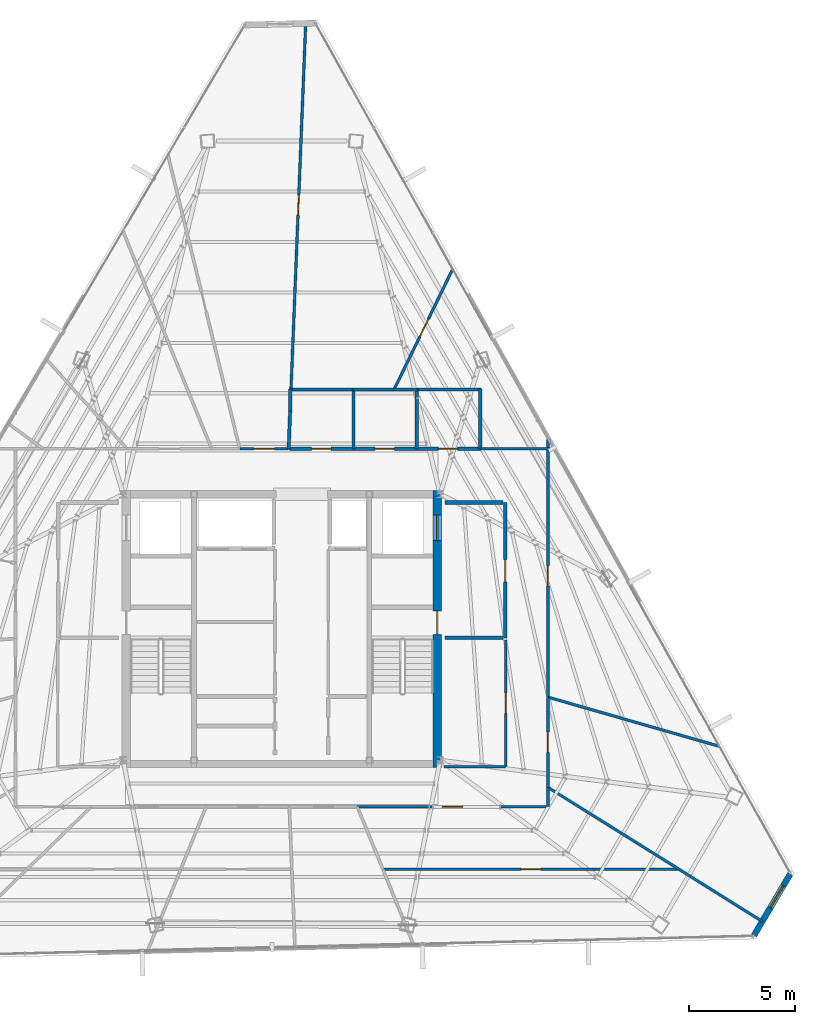
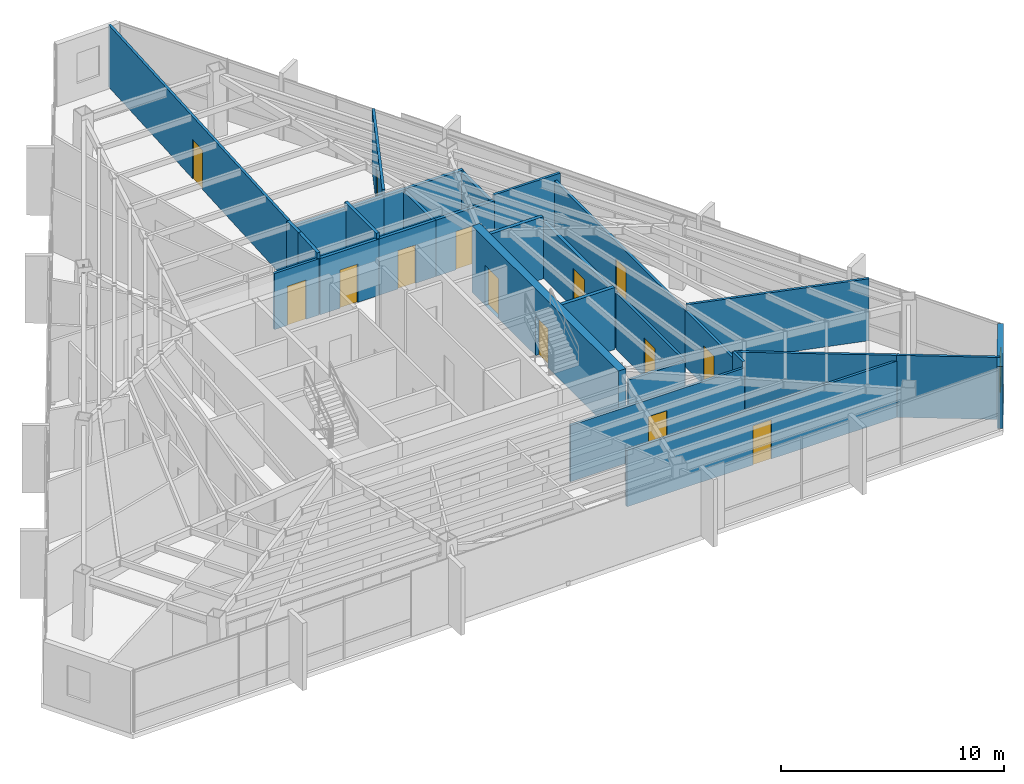
# One storey, part 45 of 48: 31 walls, 14 doors, 1 window, 15 openings.
"""IFC4 building model written with IfcOpenShell, lengths in metres."""

from ifc_helpers import new_model, si_unit, direction, frame, frame_2d, origin, place, context, subcontext, project, spatial, rectangle, extrude, material, layer, layer_set, type_object, element, fill, save


model = new_model("IFC4")

# Units and contexts
model_context = context("Model", 3, precision=1e-05, world=origin(), true_north=direction((0.0, 1.0)))
body_context = subcontext(model_context, "Body", "Model", "MODEL_VIEW")
ifc_project = project(units=[si_unit("LENGTHUNIT", "METRE"), si_unit("AREAUNIT", "SQUARE_METRE"), si_unit("VOLUMEUNIT", "CUBIC_METRE"), si_unit("PLANEANGLEUNIT", "RADIAN"), si_unit("MASSUNIT", "GRAM", prefix="KILO")], contexts=[model_context])

# Site, building, storey
site_placement = place(None, origin())
site = spatial("IfcSite", under=ifc_project, at=site_placement, CompositionType="ELEMENT")
building_placement = place(site_placement, origin())
building = spatial("IfcBuilding", under=site, at=building_placement, Name="Caelisora Broadcast Tower", CompositionType="ELEMENT")
storey_placement = place(building_placement, frame((0.0, 0.0, 270.0)))
storey = spatial("IfcBuildingStorey", under=building, at=storey_placement, Name="L71", CompositionType="ELEMENT", Elevation=270.0)

# Wall, openings, doors
ifc_material_1 = material(Name="Concrete 40 MPa (AS 3600 N40)", Category="concrete")
ifc_layer_1 = layer(ifc_material_1, 0.39990234375, Name="Concrete 40 MPa (AS 3600 N40)")
ifc_layer_set_1 = layer_set([ifc_layer_1], Name="Concrete 40 MPa (AS 3600 N40)")
wall_type_1 = type_object("IfcWallType", Name="CW3", PredefinedType="SHEAR", material=ifc_layer_set_1)
wall_1_placement = place(storey_placement, frame((45.360107421875, 17.050048828125, 0.0), z_axis=(0.0, 0.0, 1.0), x_axis=(0.0, 1.0, 0.0)))
wall_1 = element("IfcWall", 1, at=wall_1_placement, inside=storey, type_object=wall_type_1, Name="L71 core shear wall CW3", PredefinedType="SHEAR", context=body_context, shape_type="SweptSolid", body=[
    extrude(rectangle(XDim=13.125, YDim=0.39990234375, at=frame_2d((6.5625, 0.0))), origin(), (0.0, 0.0, 1.0), 3.64990234375),
])
opening_1_placement = place(wall_1_placement, frame((6.300048828125, 0.0, 0.0)))
opening_1 = element("IfcOpeningElement", 2, at=opening_1_placement, cuts=wall_1, Name="Opening FD04", PredefinedType="OPENING", context=body_context, shape_type="SweptSolid", body=[
    extrude(rectangle(XDim=1.1201171875, YDim=2.14990234375, at=frame_2d((0.56005859375, 1.074951171875))), frame((0.0, 0.2119140625, 0.0), z_axis=(0.0, -1.0, 0.0), x_axis=(1.0, 0.0, 0.0)), (0.0, 0.0, 1.0), 0.423828125),
])
opening_2_placement = place(wall_1_placement, frame((10.75, 0.0, 0.0)))
opening_2 = element("IfcOpeningElement", 3, at=opening_2_placement, cuts=wall_1, Name="Opening LD04", PredefinedType="OPENING", context=body_context, shape_type="SweptSolid", body=[
    extrude(rectangle(XDim=1.199951171875, YDim=2.199951171875, at=frame_2d((0.60009765625, 1.10009765625))), frame((0.0, 0.2119140625, 0.0), z_axis=(0.0, -1.0, 0.0), x_axis=(1.0, 0.0, 0.0)), (0.0, 0.0, 1.0), 0.423828125),
])
ifc_material_2 = material(Name="Pressurised Fire-Isolated Stair Door", Category="steel")
door_type_1 = type_object("IfcDoorType", Name="FD04", OperationType="NOTDEFINED", PredefinedType="DOOR", material=ifc_material_2)
door_1_placement = place(opening_1_placement, origin())
door_1 = element("IfcDoor", 4, at=door_1_placement, inside=storey, type_object=door_type_1, Name="L71 door FD04 (L71-DR-ST2)", OperationType="SINGLE_SWING_RIGHT", OverallHeight=2.14990234375, OverallWidth=1.1201171875, PredefinedType="DOOR", context=body_context, shape_type="SweptSolid", body=[
    extrude(rectangle(XDim=1.1201171875, YDim=2.14990234375, at=frame_2d((0.56005859375, 1.074951171875))), frame((0.0, 0.02490234375, 0.0), z_axis=(0.0, -1.0, 0.0), x_axis=(1.0, 0.0, 0.0)), (0.0, 0.0, 1.0), 0.050048828125),
])
fill(opening_1, door_1)
ifc_material_3 = material(Name="Emergency Firefighting Lift Sliding Landing Door", Category="steel")
door_type_2 = type_object("IfcDoorType", Name="LD04", OperationType="NOTDEFINED", PredefinedType="DOOR", material=ifc_material_3)
door_2_placement = place(opening_2_placement, origin())
door_2 = element("IfcDoor", 5, at=door_2_placement, inside=storey, type_object=door_type_2, Name="L71 door LD04 (L71-LD-FFL2)", OperationType="SLIDING_TO_RIGHT", OverallHeight=2.199951171875, OverallWidth=1.199951171875, PredefinedType="DOOR", context=body_context, shape_type="SweptSolid", body=[
    extrude(rectangle(XDim=1.199951171875, YDim=2.199951171875, at=frame_2d((0.60009765625, 1.10009765625))), frame((0.0, 0.02490234375, 0.0), z_axis=(0.0, -1.0, 0.0), x_axis=(1.0, 0.0, 0.0)), (0.0, 0.0, 1.0), 0.050048828125),
])
fill(opening_2, door_2)

# Wall, opening, window
ifc_material_4 = material(Name="Insulated Terracotta Spandrel Wall System", Category="masonry")
ifc_layer_2 = layer(ifc_material_4, 0.280029296875, Name="Insulated Terracotta Spandrel Wall System")
ifc_layer_set_2 = layer_set([ifc_layer_2], Name="Insulated Terracotta Spandrel Wall System")
wall_type_2 = type_object("IfcWallType", Name="EW1", PredefinedType="STANDARD", material=ifc_layer_set_2)
wall_2_placement = place(storey_placement, frame((62.068603515625, 12.01611328125, 0.0), z_axis=(0.0, 0.0, 1.0), x_axis=(-0.508417223397, -0.86111086798, 0.0)))
wall_2 = element("IfcWall", 6, at=wall_2_placement, inside=storey, type_object=wall_type_2, Name="L71 exterior envelope wall EW1", PredefinedType="STANDARD", context=body_context, shape_type="SweptSolid", body=[
    extrude(rectangle(XDim=3.373779296875, YDim=0.280029296875, at=frame_2d((1.68701171875, 0.0))), origin(), (0.0, 0.0, 1.0), 3.39990234375),
])
opening_3_placement = place(wall_2_placement, frame((0.639892578125, 0.0, 0.89990234375)))
opening_3 = element("IfcOpeningElement", 7, at=opening_3_placement, cuts=wall_2, Name="Opening W03", PredefinedType="OPENING", context=body_context, shape_type="SweptSolid", body=[
    extrude(rectangle(XDim=1.199951171875, YDim=1.64990234375, at=frame_2d((0.60009765625, 0.824951171875))), frame((0.0, 0.152099609375, 0.0), z_axis=(0.0, -1.0, 0.0), x_axis=(1.0, 0.0, 0.0)), (0.0, 0.0, 1.0), 0.303955078125),
])
ifc_material_5 = material(Name="Double Glazed Corner Vision Window", Category="glass")
window_type = type_object("IfcWindowType", Name="W03", PartitioningType="SINGLE_PANEL", PredefinedType="WINDOW", material=ifc_material_5)
window_placement = place(opening_3_placement, origin())
window = element("IfcWindow", 8, at=window_placement, inside=storey, type_object=window_type, Name="L71 window W03 (L71-WN-CH0)", OverallHeight=1.64990234375, OverallWidth=1.199951171875, PartitioningType="SINGLE_PANEL", PredefinedType="WINDOW", context=body_context, shape_type="SweptSolid", body=[
    extrude(rectangle(XDim=1.199951171875, YDim=1.64990234375, at=frame_2d((0.60009765625, 0.824951171875))), frame((0.0, 0.030029296875, 0.0), z_axis=(0.0, -1.0, 0.0), x_axis=(1.0, 0.0, 0.0)), (0.0, 0.0, 1.0), 0.06005859375),
])
fill(opening_3, window)

# Wall, opening, door
ifc_material_6 = material(Name="Fire-Rated Gypsum Shaft and Compartment Wall", Category="gypsum")
ifc_layer_3 = layer(ifc_material_6, 0.179931640625, Name="Fire-Rated Gypsum Shaft and Compartment Wall")
ifc_layer_set_3 = layer_set([ifc_layer_3], Name="Fire-Rated Gypsum Shaft and Compartment Wall")
wall_type_3 = type_object("IfcWallType", Name="PW2", PredefinedType="PARTITIONING", material=ifc_layer_set_3)
wall_3_placement = place(storey_placement, frame((48.580078125, 23.199951171875, 0.0), z_axis=(0.0, 0.0, 1.0), x_axis=(0.0, 1.0, 0.0)))
wall_3 = element("IfcWall", 9, at=wall_3_placement, inside=storey, type_object=wall_type_3, Name="L71 fire compartment wall PW2", PredefinedType="PARTITIONING", context=body_context, shape_type="SweptSolid", body=[
    extrude(rectangle(XDim=6.400146484375, YDim=0.179931640625, at=frame_2d((3.2001953125, 0.0))), origin(), (0.0, 0.0, 1.0), 3.0849609375),
])
opening_4_placement = place(wall_3_placement, frame((2.64990234375, 0.0, 0.0)))
opening_4 = element("IfcOpeningElement", 10, at=opening_4_placement, cuts=wall_3, Name="Opening FD02", PredefinedType="OPENING", context=body_context, shape_type="SweptSolid", body=[
    extrude(rectangle(XDim=1.050048828125, YDim=2.14990234375, at=frame_2d((0.52490234375, 1.074951171875))), frame((0.0, 0.10205078125, 0.0), z_axis=(0.0, -1.0, 0.0), x_axis=(1.0, 0.0, 0.0)), (0.0, 0.0, 1.0), 0.203857421875),
])
ifc_material_7 = material(Name="Single-Leaf Steel Fire Lobby Door", Category="steel")
door_type_3 = type_object("IfcDoorType", Name="FD02", OperationType="NOTDEFINED", PredefinedType="DOOR", material=ifc_material_7)
door_3_placement = place(opening_4_placement, origin())
door_3 = element("IfcDoor", 11, at=door_3_placement, inside=storey, type_object=door_type_3, Name="L71 door FD02 (L71-DR-P04D1)", OperationType="SINGLE_SWING_RIGHT", OverallHeight=2.14990234375, OverallWidth=1.050048828125, PredefinedType="DOOR", context=body_context, shape_type="SweptSolid", body=[
    extrude(rectangle(XDim=1.050048828125, YDim=2.14990234375, at=frame_2d((0.52490234375, 1.074951171875))), frame((0.0, 0.02490234375, 0.0), z_axis=(0.0, -1.0, 0.0), x_axis=(1.0, 0.0, 0.0)), (0.0, 0.0, 1.0), 0.050048828125),
])
fill(opening_4, door_3)

# Walls
for number, where, z_axis, x_axis, name in (
    (12, (45.719970703125, 23.199951171875, 0.0), (0.0, 0.0, 1.0), (1.0, 0.0, 0.0), "L71 fire compartment wall PW2"),
    (13, (45.719970703125, 29.60009765625, 0.0), (0.0, 0.0, 1.0), (1.0, 0.0, 0.0), "L71 fire compartment wall PW2"),
):
    element("IfcWall", number, at=place(storey_placement, frame(where, z_axis=z_axis, x_axis=x_axis)), inside=storey, type_object=wall_type_3, Name=name, PredefinedType="PARTITIONING", context=body_context, shape_type="SweptSolid", body=[
        extrude(rectangle(XDim=2.760009765625, YDim=0.179931640625, at=frame_2d((1.3798828125, 0.0))), origin(), (0.0, 0.0, 1.0), 3.39990234375),
    ])

# Wall, opening, door
ifc_material_8 = material(Name="Acoustic Steel-Stud Plasterboard Partition", Category="gypsum")
ifc_layer_4 = layer(ifc_material_8, 0.1298828125, Name="Acoustic Steel-Stud Plasterboard Partition")
ifc_layer_set_4 = layer_set([ifc_layer_4], Name="Acoustic Steel-Stud Plasterboard Partition")
wall_type_4 = type_object("IfcWallType", Name="PW3", PredefinedType="PARTITIONING", material=ifc_layer_set_4)
wall_4_placement = place(storey_placement, frame((38.43994140625, 34.955078125, 0.0), z_axis=(0.0, 0.0, 1.0), x_axis=(0.040141787276, 0.999193993634, 0.0)))
wall_4 = element("IfcWall", 14, at=wall_4_placement, inside=storey, type_object=wall_type_4, Name="L71 internal partition PW3", PredefinedType="PARTITIONING", context=body_context, shape_type="SweptSolid", body=[
    extrude(rectangle(XDim=17.339599609375, YDim=0.1298828125, at=frame_2d((8.669921875, 0.0))), origin(), (0.0, 0.0, 1.0), 3.39990234375),
])
opening_5_placement = place(wall_4_placement, frame((8.239990234375, 0.0, 0.0)))
opening_5 = element("IfcOpeningElement", 15, at=opening_5_placement, cuts=wall_4, Name="Opening D01", PredefinedType="OPENING", context=body_context, shape_type="SweptSolid", body=[
    extrude(rectangle(XDim=0.9599609375, YDim=2.14990234375, at=frame_2d((0.47998046875, 1.074951171875))), frame((0.0, 0.076904296875, 0.0), z_axis=(0.0, -1.0, 0.0), x_axis=(1.0, 0.0, 0.0)), (0.0, 0.0, 1.0), 0.15380859375),
])
ifc_material_9 = material(Name="Solid-Core Timber Acoustic Office Door", Category="wood")
door_type_4 = type_object("IfcDoorType", Name="D01", OperationType="NOTDEFINED", PredefinedType="DOOR", material=ifc_material_9)
door_4_placement = place(opening_5_placement, origin())
door_4 = element("IfcDoor", 16, at=door_4_placement, inside=storey, type_object=door_type_4, Name="L71 door D01 (L71-DR-P29D1)", OperationType="SINGLE_SWING_RIGHT", OverallHeight=2.14990234375, OverallWidth=0.9599609375, PredefinedType="DOOR", context=body_context, shape_type="SweptSolid", body=[
    extrude(rectangle(XDim=0.9599609375, YDim=2.14990234375, at=frame_2d((0.47998046875, 1.074951171875))), frame((0.0, 0.02490234375, 0.0), z_axis=(0.0, -1.0, 0.0), x_axis=(1.0, 0.0, 0.0)), (0.0, 0.0, 1.0), 0.050048828125),
])
fill(opening_5, door_4)

wall_5_placement = place(storey_placement, frame((42.794921875, 12.239990234375, 0.0), z_axis=(0.0, 0.0, 1.0), x_axis=(1.0, 0.0, 0.0)))
wall_5 = element("IfcWall", 17, at=wall_5_placement, inside=storey, type_object=wall_type_4, Name="L71 internal partition PW3", PredefinedType="PARTITIONING", context=body_context, shape_type="SweptSolid", body=[
    extrude(rectangle(XDim=14.010009765625, YDim=0.1298828125, at=frame_2d((7.0048828125, 0.0))), origin(), (0.0, 0.0, 1.0), 3.0849609375),
])
opening_6_placement = place(wall_5_placement, frame((6.52490234375, 0.0, 0.0)))
opening_6 = element("IfcOpeningElement", 18, at=opening_6_placement, cuts=wall_5, Name="Opening D01", PredefinedType="OPENING", context=body_context, shape_type="SweptSolid", body=[
    extrude(rectangle(XDim=0.9599609375, YDim=2.14990234375, at=frame_2d((0.47998046875, 1.074951171875))), frame((0.0, 0.076904296875, 0.0), z_axis=(0.0, -1.0, 0.0), x_axis=(1.0, 0.0, 0.0)), (0.0, 0.0, 1.0), 0.15380859375),
])
door_5_placement = place(opening_6_placement, origin())
door_5 = element("IfcDoor", 19, at=door_5_placement, inside=storey, type_object=door_type_4, Name="L71 door D01 (L71-DR-P31D1)", OperationType="SINGLE_SWING_LEFT", OverallHeight=2.14990234375, OverallWidth=0.9599609375, PredefinedType="DOOR", context=body_context, shape_type="SweptSolid", body=[
    extrude(rectangle(XDim=0.9599609375, YDim=2.14990234375, at=frame_2d((0.47998046875, 1.074951171875))), frame((0.0, 0.02490234375, 0.0), z_axis=(0.0, -1.0, 0.0), x_axis=(1.0, 0.0, 0.0)), (0.0, 0.0, 1.0), 0.050048828125),
])
fill(opening_6, door_5)

wall_6_placement = place(storey_placement, frame((50.60009765625, 20.39501953125, 0.0), z_axis=(0.0, 0.0, 1.0), x_axis=(0.0, 1.0, 0.0)))
wall_6 = element("IfcWall", 20, at=wall_6_placement, inside=storey, type_object=wall_type_4, Name="L71 internal partition PW3", PredefinedType="PARTITIONING", context=body_context, shape_type="SweptSolid", body=[
    extrude(rectangle(XDim=12.181884765625, YDim=0.1298828125, at=frame_2d((6.0908203125, 0.0))), origin(), (0.0, 0.0, 1.0), 3.0849609375),
])
opening_7_placement = place(wall_6_placement, frame((5.258056640625, 0.0, 0.0)))
opening_7 = element("IfcOpeningElement", 21, at=opening_7_placement, cuts=wall_6, Name="Opening D01", PredefinedType="OPENING", context=body_context, shape_type="SweptSolid", body=[
    extrude(rectangle(XDim=0.9599609375, YDim=2.14990234375, at=frame_2d((0.47998046875, 1.074951171875))), frame((0.0, 0.076904296875, 0.0), z_axis=(0.0, -1.0, 0.0), x_axis=(1.0, 0.0, 0.0)), (0.0, 0.0, 1.0), 0.15380859375),
])
door_6_placement = place(opening_7_placement, origin())
door_6 = element("IfcDoor", 22, at=door_6_placement, inside=storey, type_object=door_type_4, Name="L71 door D01 (L71-DR-P32D1)", OperationType="SINGLE_SWING_RIGHT", OverallHeight=2.14990234375, OverallWidth=0.9599609375, PredefinedType="DOOR", context=body_context, shape_type="SweptSolid", body=[
    extrude(rectangle(XDim=0.9599609375, YDim=2.14990234375, at=frame_2d((0.47998046875, 1.074951171875))), frame((0.0, 0.02490234375, 0.0), z_axis=(0.0, -1.0, 0.0), x_axis=(1.0, 0.0, 0.0)), (0.0, 0.0, 1.0), 0.050048828125),
])
fill(opening_7, door_6)

wall_7_placement = place(storey_placement, frame((41.5849609375, 15.199951171875, 0.0), z_axis=(0.0, 0.0, 1.0), x_axis=(1.0, 0.0, 0.0)))
wall_7 = element("IfcWall", 23, at=wall_7_placement, inside=storey, type_object=wall_type_4, Name="L71 internal partition PW3", PredefinedType="PARTITIONING", context=body_context, shape_type="SweptSolid", body=[
    extrude(rectangle(XDim=9.010009765625, YDim=0.1298828125, at=frame_2d((4.5048828125, 0.0))), origin(), (0.0, 0.0, 1.0), 3.0849609375),
])
opening_8_placement = place(wall_7_placement, frame((4.02490234375, 0.0, 0.0)))
opening_8 = element("IfcOpeningElement", 24, at=opening_8_placement, cuts=wall_7, Name="Opening D01", PredefinedType="OPENING", context=body_context, shape_type="SweptSolid", body=[
    extrude(rectangle(XDim=0.9599609375, YDim=2.14990234375, at=frame_2d((0.47998046875, 1.074951171875))), frame((0.0, 0.076904296875, 0.0), z_axis=(0.0, -1.0, 0.0), x_axis=(1.0, 0.0, 0.0)), (0.0, 0.0, 1.0), 0.15380859375),
])
door_7_placement = place(opening_8_placement, origin())
door_7 = element("IfcDoor", 25, at=door_7_placement, inside=storey, type_object=door_type_4, Name="L71 door D01 (L71-DR-P36D1)", OperationType="SINGLE_SWING_LEFT", OverallHeight=2.14990234375, OverallWidth=0.9599609375, PredefinedType="DOOR", context=body_context, shape_type="SweptSolid", body=[
    extrude(rectangle(XDim=0.9599609375, YDim=2.14990234375, at=frame_2d((0.47998046875, 1.074951171875))), frame((0.0, 0.02490234375, 0.0), z_axis=(0.0, -1.0, 0.0), x_axis=(1.0, 0.0, 0.0)), (0.0, 0.0, 1.0), 0.050048828125),
])
fill(opening_8, door_7)

# Walls
wall_8_placement = place(storey_placement, frame((50.60498046875, 20.388916015625, 0.0), z_axis=(0.0, 0.0, 1.0), x_axis=(0.961203909381, -0.275838801823, 0.0)))
element("IfcWall", 26, at=wall_8_placement, inside=storey, type_object=wall_type_4, Name="L71 internal partition PW3", PredefinedType="PARTITIONING", context=body_context, shape_type="SweptSolid", body=[
    extrude(rectangle(XDim=8.45166015625, YDim=0.1298828125, at=frame_2d((4.225830078125, 0.0))), origin(), (0.0, 0.0, 1.0), 3.39990234375),
])
wall_9_placement = place(storey_placement, frame((50.60400390625, 16.116943359375, 0.0), z_axis=(0.0, 0.0, 1.0), x_axis=(0.848131450334, -0.529785846314, 0.0)))
element("IfcWall", 27, at=wall_9_placement, inside=storey, type_object=wall_type_4, Name="L71 internal partition PW3", PredefinedType="PARTITIONING", context=body_context, shape_type="SweptSolid", body=[
    extrude(rectangle(XDim=7.3125, YDim=0.1298828125, at=frame_2d((3.65625, 0.0))), origin(), (0.0, 0.0, 1.0), 3.39990234375),
])

# Wall, opening, door
wall_10_placement = place(storey_placement, frame((43.322021484375, 34.9541015625, 0.0), z_axis=(0.0, 0.0, 1.0), x_axis=(0.437265707893, 0.899332363868, 0.0)))
wall_10 = element("IfcWall", 28, at=wall_10_placement, inside=storey, type_object=wall_type_4, Name="L71 internal partition PW3", PredefinedType="PARTITIONING", context=body_context, shape_type="SweptSolid", body=[
    extrude(rectangle(XDim=6.349365234375, YDim=0.1298828125, at=frame_2d((3.1748046875, 0.0))), origin(), (0.0, 0.0, 1.0), 3.39990234375),
])
opening_9_placement = place(wall_10_placement, frame((2.75390625, 0.0, 0.0)))
opening_9 = element("IfcOpeningElement", 29, at=opening_9_placement, cuts=wall_10, Name="Opening D01", PredefinedType="OPENING", context=body_context, shape_type="SweptSolid", body=[
    extrude(rectangle(XDim=0.9599609375, YDim=2.14990234375, at=frame_2d((0.47998046875, 1.074951171875))), frame((0.0, 0.076904296875, 0.0), z_axis=(0.0, -1.0, 0.0), x_axis=(1.0, 0.0, 0.0)), (0.0, 0.0, 1.0), 0.15380859375),
])
door_8_placement = place(opening_9_placement, origin())
door_8 = element("IfcDoor", 30, at=door_8_placement, inside=storey, type_object=door_type_4, Name="L71 door D01 (L71-DR-P44D1)", OperationType="SINGLE_SWING_RIGHT", OverallHeight=2.14990234375, OverallWidth=0.9599609375, PredefinedType="DOOR", context=body_context, shape_type="SweptSolid", body=[
    extrude(rectangle(XDim=0.9599609375, YDim=2.14990234375, at=frame_2d((0.47998046875, 1.074951171875))), frame((0.0, 0.02490234375, 0.0), z_axis=(0.0, -1.0, 0.0), x_axis=(1.0, 0.0, 0.0)), (0.0, 0.0, 1.0), 0.050048828125),
])
fill(opening_9, door_8)

wall_11_placement = place(storey_placement, frame((48.60009765625, 17.10498046875, 0.0), z_axis=(0.0, 0.0, 1.0), x_axis=(0.0, 1.0, 0.0)))
wall_11 = element("IfcWall", 31, at=wall_11_placement, inside=storey, type_object=wall_type_4, Name="L71 internal partition PW3", PredefinedType="PARTITIONING", context=body_context, shape_type="SweptSolid", body=[
    extrude(rectangle(XDim=6.0, YDim=0.1298828125, at=frame_2d((3.0, 0.0))), origin(), (0.0, 0.0, 1.0), 3.0849609375),
])
opening_10_placement = place(wall_11_placement, frame((2.52001953125, 0.0, 0.0)))
opening_10 = element("IfcOpeningElement", 32, at=opening_10_placement, cuts=wall_11, Name="Opening D01", PredefinedType="OPENING", context=body_context, shape_type="SweptSolid", body=[
    extrude(rectangle(XDim=0.9599609375, YDim=2.14990234375, at=frame_2d((0.47998046875, 1.074951171875))), frame((0.0, 0.076904296875, 0.0), z_axis=(0.0, -1.0, 0.0), x_axis=(1.0, 0.0, 0.0)), (0.0, 0.0, 1.0), 0.15380859375),
])
door_9_placement = place(opening_10_placement, origin())
door_9 = element("IfcDoor", 33, at=door_9_placement, inside=storey, type_object=door_type_4, Name="L71 door D01 (L71-DR-P46D1)", OperationType="SINGLE_SWING_RIGHT", OverallHeight=2.14990234375, OverallWidth=0.9599609375, PredefinedType="DOOR", context=body_context, shape_type="SweptSolid", body=[
    extrude(rectangle(XDim=0.9599609375, YDim=2.14990234375, at=frame_2d((0.47998046875, 1.074951171875))), frame((0.0, 0.02490234375, 0.0), z_axis=(0.0, -1.0, 0.0), x_axis=(1.0, 0.0, 0.0)), (0.0, 0.0, 1.0), 0.050048828125),
])
fill(opening_10, door_9)

# Wall
wall_12_placement = place(storey_placement, frame((56.81396484375, 12.237060546875, 0.0), z_axis=(0.0, 0.0, 1.0), x_axis=(0.847315336783, -0.531090124228, 0.0)))
element("IfcWall", 34, at=wall_12_placement, inside=storey, type_object=wall_type_4, Name="L71 internal partition PW3", PredefinedType="PARTITIONING", context=body_context, shape_type="SweptSolid", body=[
    extrude(rectangle(XDim=4.643798828125, YDim=0.1298828125, at=frame_2d((2.32177734375, 0.0))), origin(), (0.0, 0.0, 1.0), 3.39990234375),
])

# Wall, opening, door
wall_13_placement = place(storey_placement, frame((50.60009765625, 16.125, 0.0), z_axis=(0.0, 0.0, 1.0), x_axis=(0.0, 1.0, 0.0)))
wall_13 = element("IfcWall", 35, at=wall_13_placement, inside=storey, type_object=wall_type_4, Name="L71 internal partition PW3", PredefinedType="PARTITIONING", context=body_context, shape_type="SweptSolid", body=[
    extrude(rectangle(XDim=4.260009765625, YDim=0.1298828125, at=frame_2d((2.1298828125, 0.0))), origin(), (0.0, 0.0, 1.0), 3.0849609375),
])
opening_11_placement = place(wall_13_placement, frame((1.64990234375, 0.0, 0.0)))
opening_11 = element("IfcOpeningElement", 36, at=opening_11_placement, cuts=wall_13, Name="Opening D01", PredefinedType="OPENING", context=body_context, shape_type="SweptSolid", body=[
    extrude(rectangle(XDim=0.9599609375, YDim=2.14990234375, at=frame_2d((0.47998046875, 1.074951171875))), frame((0.0, 0.076904296875, 0.0), z_axis=(0.0, -1.0, 0.0), x_axis=(1.0, 0.0, 0.0)), (0.0, 0.0, 1.0), 0.15380859375),
])
door_10_placement = place(opening_11_placement, origin())
door_10 = element("IfcDoor", 37, at=door_10_placement, inside=storey, type_object=door_type_4, Name="L71 door D01 (L71-DR-P55D1)", OperationType="SINGLE_SWING_RIGHT", OverallHeight=2.14990234375, OverallWidth=0.9599609375, PredefinedType="DOOR", context=body_context, shape_type="SweptSolid", body=[
    extrude(rectangle(XDim=0.9599609375, YDim=2.14990234375, at=frame_2d((0.47998046875, 1.074951171875))), frame((0.0, 0.02490234375, 0.0), z_axis=(0.0, -1.0, 0.0), x_axis=(1.0, 0.0, 0.0)), (0.0, 0.0, 1.0), 0.050048828125),
])
fill(opening_11, door_10)

# Walls
wall_14_placement = place(storey_placement, frame((50.82958984375, 32.14990234375, 0.0), z_axis=(0.0, 0.0, 1.0), x_axis=(-1.0, 0.0, 0.0)))
element("IfcWall", 38, at=wall_14_placement, inside=storey, type_object=wall_type_4, Name="L71 internal partition PW3", PredefinedType="PARTITIONING", context=body_context, shape_type="SweptSolid", body=[
    extrude(rectangle(XDim=3.424560546875, YDim=0.1298828125, at=frame_2d((1.71240234375, 0.0))), origin(), (0.0, 0.0, 1.0), 3.39990234375),
])
wall_15_placement = place(storey_placement, frame((45.675048828125, 17.10009765625, 0.0), z_axis=(0.0, 0.0, 1.0), x_axis=(1.0, 0.0, 0.0)))
element("IfcWall", 39, at=wall_15_placement, inside=storey, type_object=wall_type_4, Name="L71 internal partition PW3", PredefinedType="PARTITIONING", context=body_context, shape_type="SweptSolid", body=[
    extrude(rectangle(XDim=2.919921875, YDim=0.1298828125, at=frame_2d((1.4599609375, 0.0))), origin(), (0.0, 0.0, 1.0), 2.985107421875),
])

# Wall, opening, door
wall_16_placement = place(storey_placement, frame((36.014892578125, 32.14990234375, 0.0), z_axis=(0.0, 0.0, 1.0), x_axis=(1.0, 0.0, 0.0)))
wall_16 = element("IfcWall", 40, at=wall_16_placement, inside=storey, type_object=wall_type_4, Name="L71 internal partition PW3", PredefinedType="PARTITIONING", context=body_context, shape_type="SweptSolid", body=[
    extrude(rectangle(XDim=2.31005859375, YDim=0.1298828125, at=frame_2d((1.155029296875, 0.0))), origin(), (0.0, 0.0, 1.0), 3.0849609375),
])
opening_12_placement = place(wall_16_placement, frame((0.675048828125, 0.0, 0.0)))
opening_12 = element("IfcOpeningElement", 41, at=opening_12_placement, cuts=wall_16, Name="Opening D01", PredefinedType="OPENING", context=body_context, shape_type="SweptSolid", body=[
    extrude(rectangle(XDim=0.9599609375, YDim=2.14990234375, at=frame_2d((0.47998046875, 1.074951171875))), frame((0.0, 0.076904296875, 0.0), z_axis=(0.0, -1.0, 0.0), x_axis=(1.0, 0.0, 0.0)), (0.0, 0.0, 1.0), 0.15380859375),
])
door_11_placement = place(opening_12_placement, origin())
door_11 = element("IfcDoor", 42, at=door_11_placement, inside=storey, type_object=door_type_4, Name="L71 door D01 (L71-DR-P74D1)", OperationType="SINGLE_SWING_LEFT", OverallHeight=2.14990234375, OverallWidth=0.9599609375, PredefinedType="DOOR", context=body_context, shape_type="SweptSolid", body=[
    extrude(rectangle(XDim=0.9599609375, YDim=2.14990234375, at=frame_2d((0.47998046875, 1.074951171875))), frame((0.0, 0.02490234375, 0.0), z_axis=(0.0, -1.0, 0.0), x_axis=(1.0, 0.0, 0.0)), (0.0, 0.0, 1.0), 0.050048828125),
])
fill(opening_12, door_11)

# Wall
wall_17_placement = place(storey_placement, frame((50.60009765625, 15.205078125, 0.0), z_axis=(0.0, 0.0, 1.0), x_axis=(0.0, 1.0, 0.0)))
element("IfcWall", 43, at=wall_17_placement, inside=storey, type_object=wall_type_4, Name="L71 internal partition PW3", PredefinedType="PARTITIONING", context=body_context, shape_type="SweptSolid", body=[
    extrude(rectangle(XDim=0.909912109375, YDim=0.1298828125, at=frame_2d((0.455078125, 0.0))), origin(), (0.0, 0.0, 1.0), 3.39990234375),
])

# Wall, opening, door
ifc_material_10 = material(Name="Moisture-Resistant Wet Plumbing Service Wall", Category="gypsum")
ifc_layer_5 = layer(ifc_material_10, 0.159912109375, Name="Moisture-Resistant Wet Plumbing Service Wall")
ifc_layer_set_5 = layer_set([ifc_layer_5], Name="Moisture-Resistant Wet Plumbing Service Wall")
wall_type_5 = type_object("IfcWallType", Name="PW4", PredefinedType="PLUMBINGWALL", material=ifc_layer_set_5)
wall_18_placement = place(storey_placement, frame((38.375, 32.14990234375, 0.0), z_axis=(0.0, 0.0, 1.0), x_axis=(1.0, 0.0, 0.0)))
wall_18 = element("IfcWall", 44, at=wall_18_placement, inside=storey, type_object=wall_type_5, Name="L71 wet plumbing wall PW4", PredefinedType="PLUMBINGWALL", context=body_context, shape_type="SweptSolid", body=[
    extrude(rectangle(XDim=3.050048828125, YDim=0.159912109375, at=frame_2d((1.52490234375, 0.0))), origin(), (0.0, 0.0, 1.0), 3.0849609375),
])
opening_13_placement = place(wall_18_placement, frame((1.034912109375, 0.0, 0.0)))
opening_13 = element("IfcOpeningElement", 45, at=opening_13_placement, cuts=wall_18, Name="Opening D03", PredefinedType="OPENING", context=body_context, shape_type="SweptSolid", body=[
    extrude(rectangle(XDim=0.919921875, YDim=2.10009765625, at=frame_2d((0.4599609375, 1.050048828125))), frame((0.0, 0.092041015625, 0.0), z_axis=(0.0, -1.0, 0.0), x_axis=(1.0, 0.0, 0.0)), (0.0, 0.0, 1.0), 0.183837890625),
])
ifc_material_11 = material(Name="Laminate Moisture-Resistant Amenity WC Door", Category="wood")
door_type_5 = type_object("IfcDoorType", Name="D03", OperationType="NOTDEFINED", PredefinedType="DOOR", material=ifc_material_11)
door_12_placement = place(opening_13_placement, origin())
door_12 = element("IfcDoor", 46, at=door_12_placement, inside=storey, type_object=door_type_5, Name="L71 door D03 (L71-DR-P17D1)", OperationType="SINGLE_SWING_LEFT", OverallHeight=2.10009765625, OverallWidth=0.919921875, PredefinedType="DOOR", context=body_context, shape_type="SweptSolid", body=[
    extrude(rectangle(XDim=0.919921875, YDim=2.10009765625, at=frame_2d((0.4599609375, 1.050048828125))), frame((0.0, 0.02490234375, 0.0), z_axis=(0.0, -1.0, 0.0), x_axis=(1.0, 0.0, 0.0)), (0.0, 0.0, 1.0), 0.050048828125),
])
fill(opening_13, door_12)

wall_19_placement = place(storey_placement, frame((41.375, 32.14990234375, 0.0), z_axis=(0.0, 0.0, 1.0), x_axis=(1.0, 0.0, 0.0)))
wall_19 = element("IfcWall", 47, at=wall_19_placement, inside=storey, type_object=wall_type_5, Name="L71 wet plumbing wall PW4", PredefinedType="PLUMBINGWALL", context=body_context, shape_type="SweptSolid", body=[
    extrude(rectangle(XDim=3.050048828125, YDim=0.159912109375, at=frame_2d((1.52490234375, 0.0))), origin(), (0.0, 0.0, 1.0), 3.0849609375),
])
opening_14_placement = place(wall_19_placement, frame((1.034912109375, 0.0, 0.0)))
opening_14 = element("IfcOpeningElement", 48, at=opening_14_placement, cuts=wall_19, Name="Opening D03", PredefinedType="OPENING", context=body_context, shape_type="SweptSolid", body=[
    extrude(rectangle(XDim=0.919921875, YDim=2.10009765625, at=frame_2d((0.4599609375, 1.050048828125))), frame((0.0, 0.092041015625, 0.0), z_axis=(0.0, -1.0, 0.0), x_axis=(1.0, 0.0, 0.0)), (0.0, 0.0, 1.0), 0.183837890625),
])
door_13_placement = place(opening_14_placement, origin())
door_13 = element("IfcDoor", 49, at=door_13_placement, inside=storey, type_object=door_type_5, Name="L71 door D03 (L71-DR-P18D1)", OperationType="SINGLE_SWING_RIGHT", OverallHeight=2.10009765625, OverallWidth=0.919921875, PredefinedType="DOOR", context=body_context, shape_type="SweptSolid", body=[
    extrude(rectangle(XDim=0.919921875, YDim=2.10009765625, at=frame_2d((0.4599609375, 1.050048828125))), frame((0.0, 0.02490234375, 0.0), z_axis=(0.0, -1.0, 0.0), x_axis=(1.0, 0.0, 0.0)), (0.0, 0.0, 1.0), 0.050048828125),
])
fill(opening_14, door_13)

wall_20_placement = place(storey_placement, frame((44.375, 32.14990234375, 0.0), z_axis=(0.0, 0.0, 1.0), x_axis=(1.0, 0.0, 0.0)))
wall_20 = element("IfcWall", 50, at=wall_20_placement, inside=storey, type_object=wall_type_5, Name="L71 wet plumbing wall PW4", PredefinedType="PLUMBINGWALL", context=body_context, shape_type="SweptSolid", body=[
    extrude(rectangle(XDim=3.050048828125, YDim=0.159912109375, at=frame_2d((1.52490234375, 0.0))), origin(), (0.0, 0.0, 1.0), 3.0849609375),
])
opening_15_placement = place(wall_20_placement, frame((1.034912109375, 0.0, 0.0)))
opening_15 = element("IfcOpeningElement", 51, at=opening_15_placement, cuts=wall_20, Name="Opening D03", PredefinedType="OPENING", context=body_context, shape_type="SweptSolid", body=[
    extrude(rectangle(XDim=0.919921875, YDim=2.10009765625, at=frame_2d((0.4599609375, 1.050048828125))), frame((0.0, 0.092041015625, 0.0), z_axis=(0.0, -1.0, 0.0), x_axis=(1.0, 0.0, 0.0)), (0.0, 0.0, 1.0), 0.183837890625),
])
door_14_placement = place(opening_15_placement, origin())
door_14 = element("IfcDoor", 52, at=door_14_placement, inside=storey, type_object=door_type_5, Name="L71 door D03 (L71-DR-P19D1)", OperationType="SINGLE_SWING_LEFT", OverallHeight=2.10009765625, OverallWidth=0.919921875, PredefinedType="DOOR", context=body_context, shape_type="SweptSolid", body=[
    extrude(rectangle(XDim=0.919921875, YDim=2.10009765625, at=frame_2d((0.4599609375, 1.050048828125))), frame((0.0, 0.02490234375, 0.0), z_axis=(0.0, -1.0, 0.0), x_axis=(1.0, 0.0, 0.0)), (0.0, 0.0, 1.0), 0.050048828125),
])
fill(opening_15, door_14)

# Walls
wall_21_placement = place(storey_placement, frame((47.425048828125, 34.949951171875, 0.0), z_axis=(0.0, 0.0, 1.0), x_axis=(-1.0, 0.0, 0.0)))
element("IfcWall", 53, at=wall_21_placement, inside=storey, type_object=wall_type_5, Name="L71 wet plumbing wall PW4", PredefinedType="PLUMBINGWALL", context=body_context, shape_type="SweptSolid", body=[
    extrude(rectangle(XDim=3.050048828125, YDim=0.159912109375, at=frame_2d((1.52490234375, 0.0))), origin(), (0.0, 0.0, 1.0), 3.0849609375),
])
wall_22_placement = place(storey_placement, frame((38.4150390625, 34.949951171875, 0.0), z_axis=(0.0, 0.0, 1.0), x_axis=(1.0, 0.0, 0.0)))
element("IfcWall", 54, at=wall_22_placement, inside=storey, type_object=wall_type_5, Name="L71 wet plumbing wall PW4", PredefinedType="PLUMBINGWALL", context=body_context, shape_type="SweptSolid", body=[
    extrude(rectangle(XDim=3.010009765625, YDim=0.159912109375, at=frame_2d((1.5048828125, 0.0))), origin(), (0.0, 0.0, 1.0), 3.0849609375),
])
wall_23_placement = place(storey_placement, frame((41.39990234375, 32.125, 0.0), z_axis=(0.0, 0.0, 1.0), x_axis=(0.0, 1.0, 0.0)))
element("IfcWall", 55, at=wall_23_placement, inside=storey, type_object=wall_type_5, Name="L71 wet plumbing wall PW4", PredefinedType="PLUMBINGWALL", context=body_context, shape_type="SweptSolid", body=[
    extrude(rectangle(XDim=2.85009765625, YDim=0.159912109375, at=frame_2d((1.425048828125, 0.0))), origin(), (0.0, 0.0, 1.0), 3.39990234375),
])
for number, where, z_axis, x_axis, name in (
    (56, (44.39990234375, 32.125, 0.0), (0.0, 0.0, 1.0), (0.0, 1.0, 0.0), "L71 wet plumbing wall PW4"),
    (57, (47.39990234375, 32.125, 0.0), (0.0, 0.0, 1.0), (0.0, 1.0, 0.0), "L71 wet plumbing wall PW4"),
):
    element("IfcWall", number, at=place(storey_placement, frame(where, z_axis=z_axis, x_axis=x_axis)), inside=storey, type_object=wall_type_5, Name=name, PredefinedType="PLUMBINGWALL", context=body_context, shape_type="SweptSolid", body=[
        extrude(rectangle(XDim=2.85009765625, YDim=0.159912109375, at=frame_2d((1.425048828125, 0.0))), origin(), (0.0, 0.0, 1.0), 2.985107421875),
    ])
wall_24_placement = place(storey_placement, frame((41.375, 34.949951171875, 0.0), z_axis=(0.0, 0.0, 1.0), x_axis=(1.0, 0.0, 0.0)))
element("IfcWall", 58, at=wall_24_placement, inside=storey, type_object=wall_type_5, Name="L71 wet plumbing wall PW4", PredefinedType="PLUMBINGWALL", context=body_context, shape_type="SweptSolid", body=[
    extrude(rectangle(XDim=1.969970703125, YDim=0.159912109375, at=frame_2d((0.98486328125, 0.0))), origin(), (0.0, 0.0, 1.0), 3.0849609375),
])
wall_25_placement = place(storey_placement, frame((38.328857421875, 32.125, 0.0), z_axis=(0.0, 0.0, 1.0), x_axis=(0.038820956822, 0.999246182535, 0.0)))
element("IfcWall", 59, at=wall_25_placement, inside=storey, type_object=wall_type_5, Name="L71 wet plumbing wall PW4", PredefinedType="PLUMBINGWALL", context=body_context, shape_type="SweptSolid", body=[
    extrude(rectangle(XDim=1.861572265625, YDim=0.159912109375, at=frame_2d((0.9306640625, 0.0))), origin(), (0.0, 0.0, 1.0), 3.39990234375),
])
wall_26_placement = place(storey_placement, frame((43.294921875, 34.949951171875, 0.0), z_axis=(0.0, 0.0, 1.0), x_axis=(1.0, 0.0, 0.0)))
element("IfcWall", 60, at=wall_26_placement, inside=storey, type_object=wall_type_5, Name="L71 wet plumbing wall PW4", PredefinedType="PLUMBINGWALL", context=body_context, shape_type="SweptSolid", body=[
    extrude(rectangle(XDim=1.130126953125, YDim=0.159912109375, at=frame_2d((0.56494140625, 0.0))), origin(), (0.0, 0.0, 1.0), 3.0849609375),
])
wall_27_placement = place(storey_placement, frame((38.39990234375, 33.93505859375, 0.0), z_axis=(0.0, 0.0, 1.0), x_axis=(0.0, 1.0, 0.0)))
element("IfcWall", 61, at=wall_27_placement, inside=storey, type_object=wall_type_5, Name="L71 wet plumbing wall PW4", PredefinedType="PLUMBINGWALL", context=body_context, shape_type="SweptSolid", body=[
    extrude(rectangle(XDim=1.0400390625, YDim=0.159912109375, at=frame_2d((0.52001953125, 0.0))), origin(), (0.0, 0.0, 1.0), 3.39990234375),
])

save(model, "model.ifc")
